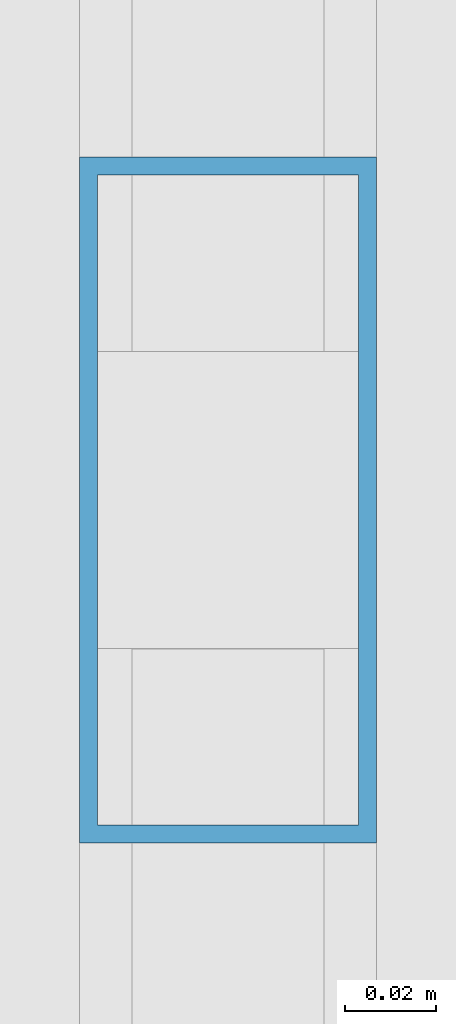
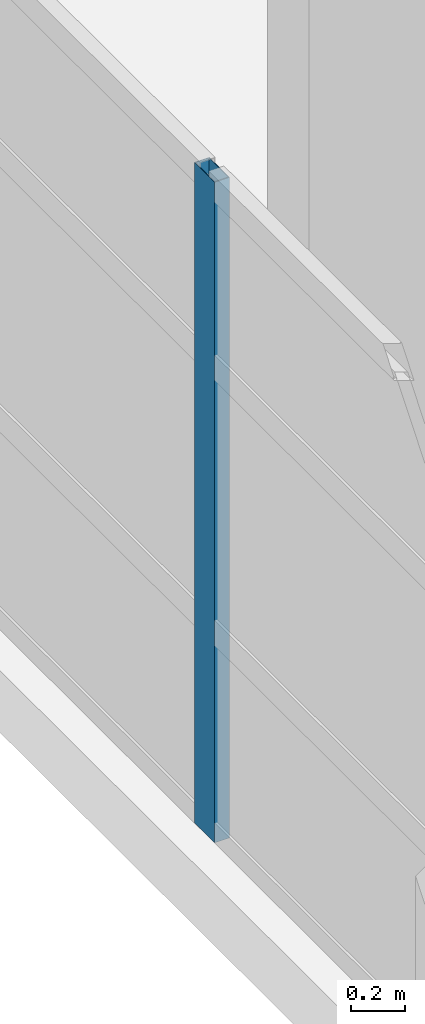
# One storey, part 32 of 78: 1 member, 1 element without a shape of its own.
"""IFC4 building model written with IfcOpenShell, lengths in metres."""

import ifcopenshell
import ifcopenshell.guid

model = None  # the IFC model being written
_history = None  # IfcOwnerHistory: only IFC2X3 demands one
_inside = {}  # id of a spatial element -> (the spatial element, [elements in it])
_under = {}  # id of a project, library or spatial element -> (it, [spatial elements below it])
_declared = {}  # id of a project -> (the project, [libraries it declares])
_typed = {}  # id of a type object -> (the type object, [elements of that type])
_made_of = {}  # id of a material, layer set ... -> (it, [elements and type objects made of it])


def new_model(schema):
    """Start an empty IFC model of exactly this schema.

    Asked for "IFC4X3", IfcOpenShell would pick the latest addendum, in which some entities
    have other attributes; the version numbers below select the first issue.
    IFC2X3 requires an IfcOwnerHistory on every rooted entity: one is made here for all.
    """
    global model, _history
    if schema == "IFC4X3":
        model = ifcopenshell.file(schema_version=(4, 3, 0, 0))
    else:
        model = ifcopenshell.file(schema=schema)
    _inside.clear()
    _under.clear()
    _declared.clear()
    _typed.clear()
    _made_of.clear()
    _history = None
    if model.schema == "IFC2X3":
        org = make("IfcOrganization", Name="unknown")
        user = make(
            "IfcPersonAndOrganization",
            ThePerson=make("IfcPerson", FamilyName="unknown"),
            TheOrganization=org,
        )
        app = make(
            "IfcApplication",
            ApplicationDeveloper=org,
            Version="unknown",
            ApplicationFullName="unknown",
            ApplicationIdentifier="unknown",
        )
        _history = make(
            "IfcOwnerHistory",
            OwningUser=user,
            OwningApplication=app,
            ChangeAction="ADDED",
            CreationDate=0,
        )
    return model


def make(cls, **values):
    """One entity of the class cls with the attributes given. An attribute that is None is left unset."""
    return model.create_entity(
        cls, **{name: value for name, value in values.items() if value is not None}
    )


def rooted(cls, **values):
    """An entity with a GlobalId (a new one), such as an element, a storey or a relation."""
    return make(cls, GlobalId=ifcopenshell.guid.new(), OwnerHistory=_history, **values)


def si_unit(unit_type, name, prefix=None):
    """IfcSIUnit, for example si_unit("LENGTHUNIT", "METRE", prefix="MILLI")."""
    return make("IfcSIUnit", UnitType=unit_type, Prefix=prefix, Name=name)


def assignment(units):
    """IfcUnitAssignment: the units of a project."""
    return None if units is None else make("IfcUnitAssignment", Units=units)


def point(xyz):
    """IfcCartesianPoint."""
    return None if xyz is None else make("IfcCartesianPoint", Coordinates=xyz)


def direction(xyz):
    """IfcDirection."""
    return None if xyz is None else make("IfcDirection", DirectionRatios=xyz)


def frame(location, z_axis=None, x_axis=None):
    """IfcAxis2Placement3D, a coordinate frame: its origin and axes. An axis left out is left unset."""
    return make(
        "IfcAxis2Placement3D",
        Location=point(location),
        Axis=direction(z_axis),
        RefDirection=direction(x_axis),
    )


def frame_2d(location, x_axis=None):
    """IfcAxis2Placement2D, a coordinate frame in the plane: its origin and x axis."""
    return make(
        "IfcAxis2Placement2D", Location=point(location), RefDirection=direction(x_axis)
    )


def origin():
    """The frame at (0, 0, 0) with its axes left unset."""
    return frame((0.0, 0.0, 0.0))


def origin_2d():
    """The frame at (0, 0) in the plane with its x axis left unset."""
    return frame_2d((0.0, 0.0))


def place(relative_to, where):
    """IfcLocalPlacement: puts the frame where relative to a parent placement (None: the world)."""
    return make(
        "IfcLocalPlacement", PlacementRelTo=relative_to, RelativePlacement=where
    )


def context(
    kind, dimensions, precision=None, world=None, true_north=None, identifier=None
):
    """IfcGeometricRepresentationContext, for example the 3D "Model" context."""
    return make(
        "IfcGeometricRepresentationContext",
        ContextIdentifier=identifier,
        ContextType=kind,
        CoordinateSpaceDimension=dimensions,
        Precision=precision,
        WorldCoordinateSystem=world,
        TrueNorth=true_north,
    )


def subcontext(parent, identifier, kind, view, scale=None):
    """IfcGeometricRepresentationSubContext, for example "Body" below "Model"."""
    return make(
        "IfcGeometricRepresentationSubContext",
        ContextIdentifier=identifier,
        ContextType=kind,
        ParentContext=parent,
        TargetScale=scale,
        TargetView=view,
    )


def project(units=None, contexts=None):
    """IfcProject with its units and contexts."""
    return rooted(
        "IfcProject",
        Name="project",
        RepresentationContexts=contexts,
        UnitsInContext=assignment(units),
    )


def spatial(cls, under=None, at=None, **own):
    """A site, building, storey or space (cls), placed at a placement, below another one or the project."""
    s = rooted(cls, ObjectPlacement=at, **own)
    if under is not None:
        _under.setdefault(under.id(), (under, []))[1].append(s)
    return s


def profile(cls, at=None, kind="AREA", **sizes):
    """A parametric profile (cls). Its sizes go by their IFC names, for example OverallWidth=200.0."""
    return make(cls, ProfileType=kind, Position=at, **sizes)


def hollow_rectangle(**sizes):
    """IfcRectangleHollowProfileDef."""
    return profile("IfcRectangleHollowProfileDef", **sizes)


def extrude(swept, where, along, depth):
    """IfcExtrudedAreaSolid: the profile swept, set in the frame where, extruded along a direction by depth."""
    return make(
        "IfcExtrudedAreaSolid",
        SweptArea=swept,
        Position=where,
        ExtrudedDirection=direction(along),
        Depth=depth,
    )


def shape(context_of_items, identifier, shape_type, items):
    """IfcShapeRepresentation: the items that make up one representation, for example the "Body"."""
    return make(
        "IfcShapeRepresentation",
        ContextOfItems=context_of_items,
        RepresentationIdentifier=identifier,
        RepresentationType=shape_type,
        Items=items,
    )


def material(Name=None, Category=None):
    """IfcMaterial."""
    return make("IfcMaterial", Name=Name, Category=Category)


def layer(
    of_material, thickness, ventilated=None, Name=None, Category=None, Priority=None
):
    """IfcMaterialLayer: one layer of a wall or slab, of a material (None: an air gap)."""
    return make(
        "IfcMaterialLayer",
        Material=of_material,
        LayerThickness=thickness,
        IsVentilated=ventilated,
        Name=Name,
        Category=Category,
        Priority=Priority,
    )


def layer_set(layers, Name=None):
    """IfcMaterialLayerSet."""
    return make("IfcMaterialLayerSet", MaterialLayers=layers, LayerSetName=Name)


def material_profile(
    of_material, cross_section, Name=None, Category=None, Priority=None
):
    """IfcMaterialProfile: a cross section and its material."""
    return make(
        "IfcMaterialProfile",
        Name=Name,
        Material=of_material,
        Profile=cross_section,
        Priority=Priority,
        Category=Category,
    )


def profile_set(profiles, Name=None, composite=None):
    """IfcMaterialProfileSet."""
    return make(
        "IfcMaterialProfileSet",
        Name=Name,
        MaterialProfiles=profiles,
        CompositeProfile=composite,
    )


def made_of(thing, what):
    """Note that an element or type object is made of a material, layer set ...; save() writes the relation."""
    if what is not None:
        _made_of.setdefault(what.id(), (what, []))[1].append(thing)
    return thing


def type_object(cls, material=None, **own):
    """A type object (cls), such as IfcWallType, which elements share."""
    return made_of(rooted(cls, **own), material)


def element(
    cls,
    number,
    at=None,
    inside=None,
    cuts=None,
    type_object=None,
    material=None,
    context=None,
    identifier="Body",
    shape_type=None,
    held_by="IfcProductDefinitionShape",
    body=None,
    shapes=None,
    **own,
):
    """One element of the class cls, such as IfcWall. Its Tag is "e" and its number.

    at: its placement. inside: the storey or other place that contains it. cuts: it is an
    opening in that element (IfcRelVoidsElement). A single representation is given by context,
    identifier, shape_type and body (its items); several are given by shapes. held_by: the class
    of the entity that holds the representations. save() writes the other relations.
    """
    e = rooted(cls, Tag="e%d" % number, ObjectPlacement=at, **own)
    if body is not None:
        shapes = [shape(context, identifier, shape_type, body)]
    if shapes is not None:
        e.Representation = make(held_by, Representations=shapes)
    if inside is not None:
        _inside.setdefault(inside.id(), (inside, []))[1].append(e)
    if cuts is not None:
        rooted(
            "IfcRelVoidsElement", RelatingBuildingElement=cuts, RelatedOpeningElement=e
        )
    if type_object is not None:
        _typed.setdefault(type_object.id(), (type_object, []))[1].append(e)
    return made_of(e, material)


def aggregate(whole, parts):
    """IfcRelAggregates: a whole, such as a stair, and the parts it consists of."""
    return rooted("IfcRelAggregates", RelatingObject=whole, RelatedObjects=parts)


def save(model, path):
    """Write the relations noted so far, then the file.

    IfcRelAggregates (storeys below a building ...), IfcRelContainedInSpatialStructure (elements
    in a storey), IfcRelDefinesByType, IfcRelAssociatesMaterial and IfcRelDeclares: one each for
    every whole, place, type object, material and project.
    """
    for whole, parts in _under.values():
        aggregate(whole, parts)
    for where, things in _inside.values():
        rooted(
            "IfcRelContainedInSpatialStructure",
            RelatedElements=things,
            RelatingStructure=where,
        )
    for kind, things in _typed.values():
        rooted("IfcRelDefinesByType", RelatedObjects=things, RelatingType=kind)
    for what, things in _made_of.values():
        rooted("IfcRelAssociatesMaterial", RelatedObjects=things, RelatingMaterial=what)
    for by, libraries in _declared.values():
        rooted("IfcRelDeclares", RelatingContext=by, RelatedDefinitions=libraries)
    model.write(path)


model = new_model("IFC4")

# Units and contexts
model_context = context("Model", 3, precision=1e-05, world=origin(), true_north=direction((0.0, 1.0)))
body_context = subcontext(model_context, "Body", "Model", "MODEL_VIEW")
ifc_project = project(units=[si_unit("LENGTHUNIT", "METRE"), si_unit("AREAUNIT", "SQUARE_METRE"), si_unit("VOLUMEUNIT", "CUBIC_METRE"), si_unit("PLANEANGLEUNIT", "RADIAN"), si_unit("MASSUNIT", "GRAM", prefix="KILO")], contexts=[model_context])

# Site, building, storey
site_placement = place(None, origin())
site = spatial("IfcSite", under=ifc_project, at=site_placement, CompositionType="ELEMENT")
building_placement = place(site_placement, origin())
building = spatial("IfcBuilding", under=site, at=building_placement, Name="Quendrovan Civic Courthouse", CompositionType="ELEMENT")
storey_placement = place(building_placement, frame((0.0, 0.0, 20.39990234375)))
storey = spatial("IfcBuildingStorey", under=building, at=storey_placement, Name="L05", CompositionType="ELEMENT", Elevation=20.39990234375)

# Curtain wall, member
ifc_material_1 = material(Name="Bronze anodised aluminium and low-E glass", Category="aluminium")
ifc_layer = layer(ifc_material_1, 0.179931640625, Name="Bronze anodised aluminium and low-E glass")
ifc_layer_set = layer_set([ifc_layer], Name="Bronze anodised aluminium and low-E glass")
curtain_wall_type = type_object("IfcCurtainWallType", Name="CW-U60x30", PredefinedType="USERDEFINED", material=ifc_layer_set)
curtain_wall_placement = place(storey_placement, origin())
curtain_wall = element("IfcCurtainWall", 1, at=curtain_wall_placement, inside=storey, type_object=curtain_wall_type, Name="L05 Unitised Hurricane Curtain Wall CW-203", ObjectType="UNITISED CURTAIN WALL", PredefinedType="USERDEFINED")
ifc_material_2 = material(Name="Bronze anodised aluminium", Category="aluminium")
ifc_material_profile = material_profile(ifc_material_2, hollow_rectangle(XDim=0.06494140625, YDim=0.14990234375, WallThickness=0.00390625, at=origin_2d()), Name="CW-MULL-65x150")
ifc_profile_set = profile_set([ifc_material_profile], Name="Bronze anodised aluminium")
member_type = type_object("IfcMemberType", Name="CW-MULL-B", PredefinedType="MULLION", material=ifc_profile_set)
member_placement = place(storey_placement, frame((109.364990234375, 97.4833984375, 0.0), z_axis=(0.0, 0.0, 1.0), x_axis=(-1.0, 0.0, 0.0)))
member = element("IfcMember", 2, at=member_placement, type_object=member_type, Name="CW-203 mullion 2", PredefinedType="MULLION", context=body_context, shape_type="SweptSolid", body=[
    extrude(hollow_rectangle(XDim=0.06494140625, YDim=0.14990234375, WallThickness=0.00390625, at=origin_2d()), origin(), (0.0, 0.0, 1.0), 2.989990234375),
])
aggregate(curtain_wall, [member])

save(model, "model.ifc")
